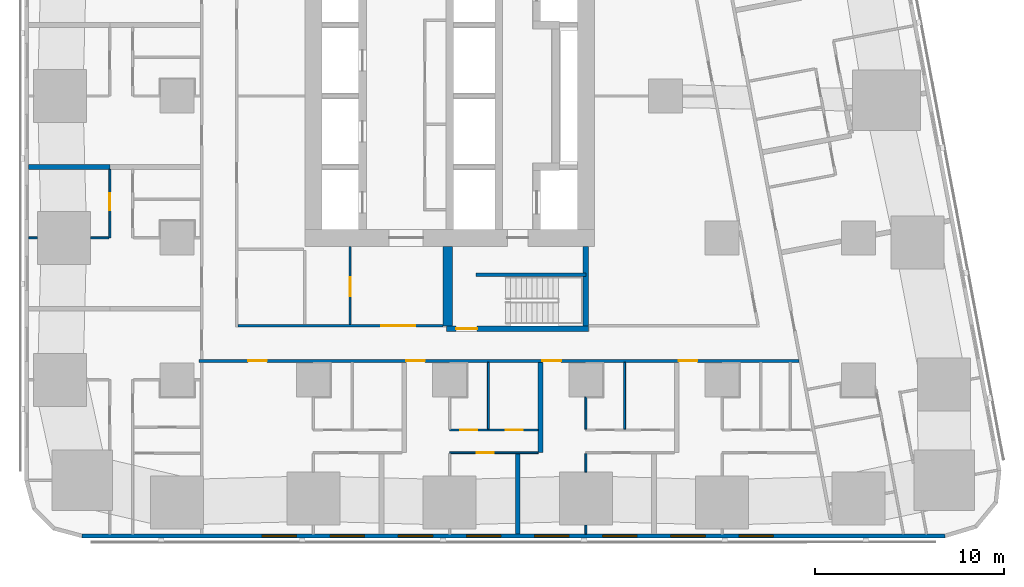
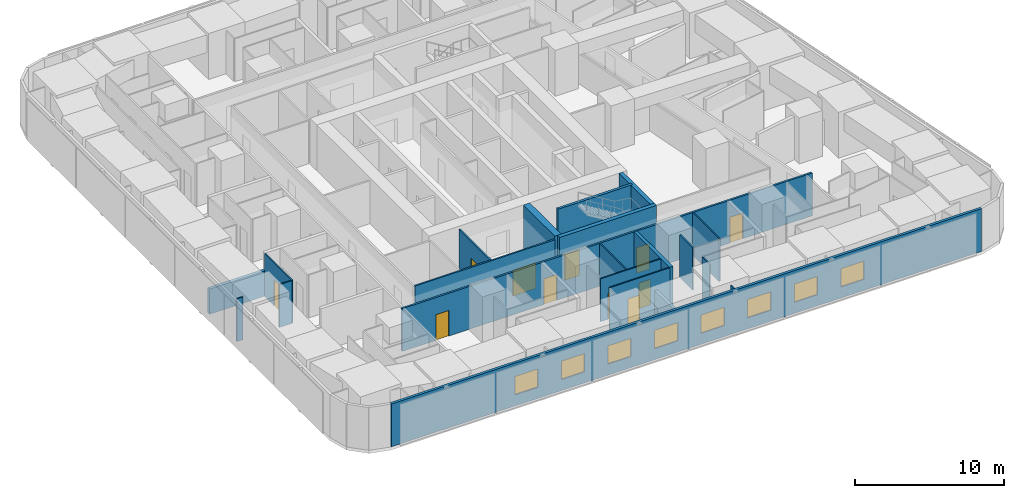
# One storey, part 3 of 15: 21 walls, 11 doors, 8 windows, 19 openings.
"""IFC4 building model written with IfcOpenShell, lengths in metres."""

from ifc_helpers import new_model, si_unit, direction, frame, frame_2d, origin, place, context, subcontext, project, spatial, rectangle, extrude, material, layer, layer_set, type_object, element, fill, save


model = new_model("IFC4")

# Units and contexts
model_context = context("Model", 3, precision=1e-05, world=origin(), true_north=direction((0.0, 1.0)))
body_context = subcontext(model_context, "Body", "Model", "MODEL_VIEW")
ifc_project = project(units=[si_unit("LENGTHUNIT", "METRE"), si_unit("AREAUNIT", "SQUARE_METRE"), si_unit("VOLUMEUNIT", "CUBIC_METRE"), si_unit("PLANEANGLEUNIT", "RADIAN"), si_unit("MASSUNIT", "GRAM", prefix="KILO")], contexts=[model_context])

# Site, building, storey
site_placement = place(None, origin())
site = spatial("IfcSite", under=ifc_project, at=site_placement, CompositionType="ELEMENT")
building_placement = place(site_placement, origin())
building = spatial("IfcBuilding", under=site, at=building_placement, Name="Sheger Commons Tower", CompositionType="ELEMENT")
storey_placement = place(building_placement, frame((0.0, 0.0, 65.0)))
storey = spatial("IfcBuildingStorey", under=building, at=storey_placement, Name="L16", CompositionType="ELEMENT", Elevation=65.0)

# Wall, openings, doors
ifc_material_1 = material(Name="Hollow concrete block masonry, skimmed both sides", Category="masonry")
ifc_layer_1 = layer(ifc_material_1, 0.14990234375)
ifc_layer_set_1 = layer_set([ifc_layer_1], Name="CORRIDOR WALL 150")
wall_type_1 = type_object("IfcWallType", Name="CORRIDOR WALL 150", PredefinedType="SOLIDWALL", material=ifc_layer_set_1)
wall_1_placement = place(storey_placement, frame((40.053955078125, 8.5, 0.0), z_axis=(0.0, 0.0, 1.0), x_axis=(-1.0, 0.0, 0.0)))
wall_1 = element("IfcWall", 1, at=wall_1_placement, inside=storey, type_object=wall_type_1, Name="Corridor wall L16", PredefinedType="SOLIDWALL", context=body_context, shape_type="SweptSolid", body=[
    extrude(rectangle(XDim=31.703857421875, YDim=0.14990234375, at=frame_2d((15.85205078125, 0.0))), origin(), (0.0, 0.0, 1.0), 3.5),
])
opening_1_placement = place(wall_1_placement, frame((28.10400390625, 0.0, 0.0)))
opening_1 = element("IfcOpeningElement", 2, at=opening_1_placement, cuts=wall_1, Name="Opening D1", PredefinedType="OPENING", context=body_context, shape_type="SweptSolid", body=[
    extrude(rectangle(XDim=1.0, YDim=2.10009765625, at=frame_2d((0.5, 1.050048828125))), frame((0.0, 0.0849609375, 0.0), z_axis=(0.0, -1.0, 0.0), x_axis=(1.0, 0.0, 0.0)), (0.0, 0.0, 1.0), 0.169921875),
])
opening_2_placement = place(wall_1_placement, frame((19.7548828125, 0.0, 0.0)))
opening_2 = element("IfcOpeningElement", 3, at=opening_2_placement, cuts=wall_1, Name="Opening D1", PredefinedType="OPENING", context=body_context, shape_type="SweptSolid", body=[
    extrude(rectangle(XDim=1.0, YDim=2.10009765625, at=frame_2d((0.5, 1.050048828125))), frame((0.0, 0.0849609375, 0.0), z_axis=(0.0, -1.0, 0.0), x_axis=(1.0, 0.0, 0.0)), (0.0, 0.0, 1.0), 0.169921875),
])
opening_3_placement = place(wall_1_placement, frame((12.554931640625, 0.0, 0.0)))
opening_3 = element("IfcOpeningElement", 4, at=opening_3_placement, cuts=wall_1, Name="Opening D1", PredefinedType="OPENING", context=body_context, shape_type="SweptSolid", body=[
    extrude(rectangle(XDim=1.0, YDim=2.10009765625, at=frame_2d((0.5, 1.050048828125))), frame((0.0, 0.0849609375, 0.0), z_axis=(0.0, -1.0, 0.0), x_axis=(1.0, 0.0, 0.0)), (0.0, 0.0, 1.0), 0.169921875),
])
opening_4_placement = place(wall_1_placement, frame((5.35498046875, 0.0, 0.0)))
opening_4 = element("IfcOpeningElement", 5, at=opening_4_placement, cuts=wall_1, Name="Opening D1", PredefinedType="OPENING", context=body_context, shape_type="SweptSolid", body=[
    extrude(rectangle(XDim=1.0, YDim=2.10009765625, at=frame_2d((0.5, 1.050048828125))), frame((0.0, 0.0849609375, 0.0), z_axis=(0.0, -1.0, 0.0), x_axis=(1.0, 0.0, 0.0)), (0.0, 0.0, 1.0), 0.169921875),
])
ifc_material_2 = material(Name="Steel door set, fire rated", Category="steel")
door_type_1 = type_object("IfcDoorType", Name="FLAT ENTRANCE DOOR 1000x2100", OperationType="NOTDEFINED", PredefinedType="DOOR", material=ifc_material_2)
door_1_placement = place(opening_1_placement, origin())
door_1 = element("IfcDoor", 6, at=door_1_placement, inside=storey, type_object=door_type_1, Name="Flat entrance door", OperationType="SINGLE_SWING_RIGHT", OverallHeight=2.10009765625, OverallWidth=1.0, PredefinedType="DOOR", context=body_context, shape_type="SweptSolid", body=[
    extrude(rectangle(XDim=1.0, YDim=2.10009765625, at=frame_2d((0.5, 1.050048828125))), frame((0.0, 0.02490234375, 0.0), z_axis=(0.0, -1.0, 0.0), x_axis=(1.0, 0.0, 0.0)), (0.0, 0.0, 1.0), 0.050048828125),
])
fill(opening_1, door_1)
door_2_placement = place(opening_2_placement, origin())
door_2 = element("IfcDoor", 7, at=door_2_placement, inside=storey, type_object=door_type_1, Name="Flat entrance door", OperationType="SINGLE_SWING_RIGHT", OverallHeight=2.10009765625, OverallWidth=1.0, PredefinedType="DOOR", context=body_context, shape_type="SweptSolid", body=[
    extrude(rectangle(XDim=1.0, YDim=2.10009765625, at=frame_2d((0.5, 1.050048828125))), frame((0.0, 0.02490234375, 0.0), z_axis=(0.0, -1.0, 0.0), x_axis=(1.0, 0.0, 0.0)), (0.0, 0.0, 1.0), 0.050048828125),
])
fill(opening_2, door_2)
door_3_placement = place(opening_3_placement, origin())
door_3 = element("IfcDoor", 8, at=door_3_placement, inside=storey, type_object=door_type_1, Name="Flat entrance door", OperationType="SINGLE_SWING_RIGHT", OverallHeight=2.10009765625, OverallWidth=1.0, PredefinedType="DOOR", context=body_context, shape_type="SweptSolid", body=[
    extrude(rectangle(XDim=1.0, YDim=2.10009765625, at=frame_2d((0.5, 1.050048828125))), frame((0.0, 0.02490234375, 0.0), z_axis=(0.0, -1.0, 0.0), x_axis=(1.0, 0.0, 0.0)), (0.0, 0.0, 1.0), 0.050048828125),
])
fill(opening_3, door_3)
door_4_placement = place(opening_4_placement, origin())
door_4 = element("IfcDoor", 9, at=door_4_placement, inside=storey, type_object=door_type_1, Name="Flat entrance door", OperationType="SINGLE_SWING_RIGHT", OverallHeight=2.10009765625, OverallWidth=1.0, PredefinedType="DOOR", context=body_context, shape_type="SweptSolid", body=[
    extrude(rectangle(XDim=1.0, YDim=2.10009765625, at=frame_2d((0.5, 1.050048828125))), frame((0.0, 0.02490234375, 0.0), z_axis=(0.0, -1.0, 0.0), x_axis=(1.0, 0.0, 0.0)), (0.0, 0.0, 1.0), 0.050048828125),
])
fill(opening_4, door_4)

# Walls
ifc_material_3 = material(Name="Dense concrete block masonry, plastered both sides (separating wall between flats)", Category="masonry")
ifc_layer_2 = layer(ifc_material_3, 0.25)
ifc_layer_set_2 = layer_set([ifc_layer_2], Name="DEMISING WALL 250")
wall_type_2 = type_object("IfcWallType", Name="DEMISING WALL 250", PredefinedType="SOLIDWALL", material=ifc_layer_set_2)
wall_2_placement = place(storey_placement, frame((-0.64990234375, 18.75, 0.0), z_axis=(0.0, 0.0, 1.0), x_axis=(1.0, 0.0, 0.0)))
element("IfcWall", 10, at=wall_2_placement, inside=storey, type_object=wall_type_2, Name="Demising wall L16", PredefinedType="SOLIDWALL", context=body_context, shape_type="SweptSolid", body=[
    extrude(rectangle(XDim=4.2998046875, YDim=0.25, at=frame_2d((2.14990234375, 0.0))), origin(), (0.0, 0.0, 1.0), 2.050048828125),
])
wall_3_placement = place(storey_placement, frame((25.199951171875, -0.64990234375, 0.0), z_axis=(0.0, 0.0, 1.0), x_axis=(0.0, 1.0, 0.0)))
element("IfcWall", 11, at=wall_3_placement, inside=storey, type_object=wall_type_2, Name="Demising wall L16", PredefinedType="SOLIDWALL", context=body_context, shape_type="SweptSolid", body=[
    extrude(rectangle(XDim=4.25, YDim=0.25, at=frame_2d((2.125, 0.0))), origin(), (0.0, 0.0, 1.0), 2.050048828125),
])
wall_4_placement = place(storey_placement, frame((26.39892578125, 3.64990234375, 0.0), z_axis=(0.0, 0.0, 1.0), x_axis=(0.0, 1.0, 0.0)))
element("IfcWall", 12, at=wall_4_placement, inside=storey, type_object=wall_type_2, Name="Demising wall L16", PredefinedType="SOLIDWALL", context=body_context, shape_type="SweptSolid", body=[
    extrude(rectangle(XDim=4.775146484375, YDim=0.25, at=frame_2d((2.3876953125, 0.0))), origin(), (0.0, 0.0, 1.0), 3.5),
])

# Wall, openings, windows
ifc_material_4 = material(Name="Rendered concrete block masonry, dark grey", Category="masonry")
ifc_layer_3 = layer(ifc_material_4, 0.199951171875)
ifc_layer_set_3 = layer_set([ifc_layer_3], Name="FACADE WALL 200")
wall_type_3 = type_object("IfcWallType", Name="FACADE WALL 200", PredefinedType="SOLIDWALL", material=ifc_layer_set_3)
wall_5_placement = place(storey_placement, frame((2.1630859375, -0.75, 0.0), z_axis=(0.0, 0.0, 1.0), x_axis=(1.0, 0.0, 0.0)))
wall_5 = element("IfcWall", 13, at=wall_5_placement, inside=storey, type_object=wall_type_3, Name="Facade wall L16", PredefinedType="SOLIDWALL", context=body_context, shape_type="SweptSolid", body=[
    extrude(rectangle(XDim=45.6279296875, YDim=0.199951171875, at=frame_2d((22.81396484375, 0.0))), origin(), (0.0, 0.0, 1.0), 3.5),
])
opening_5_placement = place(wall_5_placement, frame((9.537109375, 0.0, 0.89990234375)))
opening_5 = element("IfcOpeningElement", 14, at=opening_5_placement, cuts=wall_5, Name="Opening W2", PredefinedType="OPENING", context=body_context, shape_type="SweptSolid", body=[
    extrude(rectangle(XDim=1.800048828125, YDim=1.5, at=frame_2d((0.89990234375, 0.75))), frame((0.0, 0.10986328125, 0.0), z_axis=(0.0, -1.0, 0.0), x_axis=(1.0, 0.0, 0.0)), (0.0, 0.0, 1.0), 0.219970703125),
])
opening_6_placement = place(wall_5_placement, frame((13.136962890625, 0.0, 0.89990234375)))
opening_6 = element("IfcOpeningElement", 15, at=opening_6_placement, cuts=wall_5, Name="Opening W2", PredefinedType="OPENING", context=body_context, shape_type="SweptSolid", body=[
    extrude(rectangle(XDim=1.800048828125, YDim=1.5, at=frame_2d((0.89990234375, 0.75))), frame((0.0, 0.10986328125, 0.0), z_axis=(0.0, -1.0, 0.0), x_axis=(1.0, 0.0, 0.0)), (0.0, 0.0, 1.0), 0.219970703125),
])
opening_7_placement = place(wall_5_placement, frame((16.737060546875, 0.0, 0.89990234375)))
opening_7 = element("IfcOpeningElement", 16, at=opening_7_placement, cuts=wall_5, Name="Opening W2", PredefinedType="OPENING", context=body_context, shape_type="SweptSolid", body=[
    extrude(rectangle(XDim=1.800048828125, YDim=1.5, at=frame_2d((0.89990234375, 0.75))), frame((0.0, 0.10986328125, 0.0), z_axis=(0.0, -1.0, 0.0), x_axis=(1.0, 0.0, 0.0)), (0.0, 0.0, 1.0), 0.219970703125),
])
opening_8_placement = place(wall_5_placement, frame((20.3369140625, 0.0, 0.89990234375)))
opening_8 = element("IfcOpeningElement", 17, at=opening_8_placement, cuts=wall_5, Name="Opening W2", PredefinedType="OPENING", context=body_context, shape_type="SweptSolid", body=[
    extrude(rectangle(XDim=1.800048828125, YDim=1.5, at=frame_2d((0.89990234375, 0.75))), frame((0.0, 0.10986328125, 0.0), z_axis=(0.0, -1.0, 0.0), x_axis=(1.0, 0.0, 0.0)), (0.0, 0.0, 1.0), 0.219970703125),
])
opening_9_placement = place(wall_5_placement, frame((23.93701171875, 0.0, 0.89990234375)))
opening_9 = element("IfcOpeningElement", 18, at=opening_9_placement, cuts=wall_5, Name="Opening W2", PredefinedType="OPENING", context=body_context, shape_type="SweptSolid", body=[
    extrude(rectangle(XDim=1.800048828125, YDim=1.5, at=frame_2d((0.89990234375, 0.75))), frame((0.0, 0.10986328125, 0.0), z_axis=(0.0, -1.0, 0.0), x_axis=(1.0, 0.0, 0.0)), (0.0, 0.0, 1.0), 0.219970703125),
])
opening_10_placement = place(wall_5_placement, frame((27.537109375, 0.0, 0.89990234375)))
opening_10 = element("IfcOpeningElement", 19, at=opening_10_placement, cuts=wall_5, Name="Opening W2", PredefinedType="OPENING", context=body_context, shape_type="SweptSolid", body=[
    extrude(rectangle(XDim=1.800048828125, YDim=1.5, at=frame_2d((0.89990234375, 0.75))), frame((0.0, 0.10986328125, 0.0), z_axis=(0.0, -1.0, 0.0), x_axis=(1.0, 0.0, 0.0)), (0.0, 0.0, 1.0), 0.219970703125),
])
opening_11_placement = place(wall_5_placement, frame((31.136962890625, 0.0, 0.89990234375)))
opening_11 = element("IfcOpeningElement", 20, at=opening_11_placement, cuts=wall_5, Name="Opening W2", PredefinedType="OPENING", context=body_context, shape_type="SweptSolid", body=[
    extrude(rectangle(XDim=1.800048828125, YDim=1.5, at=frame_2d((0.89990234375, 0.75))), frame((0.0, 0.10986328125, 0.0), z_axis=(0.0, -1.0, 0.0), x_axis=(1.0, 0.0, 0.0)), (0.0, 0.0, 1.0), 0.219970703125),
])
opening_12_placement = place(wall_5_placement, frame((34.737060546875, 0.0, 0.89990234375)))
opening_12 = element("IfcOpeningElement", 21, at=opening_12_placement, cuts=wall_5, Name="Opening W2", PredefinedType="OPENING", context=body_context, shape_type="SweptSolid", body=[
    extrude(rectangle(XDim=1.800048828125, YDim=1.5, at=frame_2d((0.89990234375, 0.75))), frame((0.0, 0.10986328125, 0.0), z_axis=(0.0, -1.0, 0.0), x_axis=(1.0, 0.0, 0.0)), (0.0, 0.0, 1.0), 0.219970703125),
])
ifc_material_5 = material(Name="Black aluminium frame, dark tinted double glazing", Category="aluminium")
window_type = type_object("IfcWindowType", Name="WINDOW W2 1800x1500", PartitioningType="SINGLE_PANEL", PredefinedType="WINDOW", material=ifc_material_5)
window_1_placement = place(opening_5_placement, origin())
window_1 = element("IfcWindow", 22, at=window_1_placement, inside=storey, type_object=window_type, Name="Window W2 1800X1500", OverallHeight=1.5, OverallWidth=1.800048828125, PartitioningType="SINGLE_PANEL", PredefinedType="WINDOW", context=body_context, shape_type="SweptSolid", body=[
    extrude(rectangle(XDim=1.800048828125, YDim=1.5, at=frame_2d((0.89990234375, 0.75))), frame((0.0, 0.030029296875, 0.0), z_axis=(0.0, -1.0, 0.0), x_axis=(1.0, 0.0, 0.0)), (0.0, 0.0, 1.0), 0.06005859375),
])
fill(opening_5, window_1)
window_2_placement = place(opening_6_placement, origin())
window_2 = element("IfcWindow", 23, at=window_2_placement, inside=storey, type_object=window_type, Name="Window W2 1800X1500", OverallHeight=1.5, OverallWidth=1.800048828125, PartitioningType="SINGLE_PANEL", PredefinedType="WINDOW", context=body_context, shape_type="SweptSolid", body=[
    extrude(rectangle(XDim=1.800048828125, YDim=1.5, at=frame_2d((0.89990234375, 0.75))), frame((0.0, 0.030029296875, 0.0), z_axis=(0.0, -1.0, 0.0), x_axis=(1.0, 0.0, 0.0)), (0.0, 0.0, 1.0), 0.06005859375),
])
fill(opening_6, window_2)
window_3_placement = place(opening_7_placement, origin())
window_3 = element("IfcWindow", 24, at=window_3_placement, inside=storey, type_object=window_type, Name="Window W2 1800X1500", OverallHeight=1.5, OverallWidth=1.800048828125, PartitioningType="SINGLE_PANEL", PredefinedType="WINDOW", context=body_context, shape_type="SweptSolid", body=[
    extrude(rectangle(XDim=1.800048828125, YDim=1.5, at=frame_2d((0.89990234375, 0.75))), frame((0.0, 0.030029296875, 0.0), z_axis=(0.0, -1.0, 0.0), x_axis=(1.0, 0.0, 0.0)), (0.0, 0.0, 1.0), 0.06005859375),
])
fill(opening_7, window_3)
window_4_placement = place(opening_8_placement, origin())
window_4 = element("IfcWindow", 25, at=window_4_placement, inside=storey, type_object=window_type, Name="Window W2 1800X1500", OverallHeight=1.5, OverallWidth=1.800048828125, PartitioningType="SINGLE_PANEL", PredefinedType="WINDOW", context=body_context, shape_type="SweptSolid", body=[
    extrude(rectangle(XDim=1.800048828125, YDim=1.5, at=frame_2d((0.89990234375, 0.75))), frame((0.0, 0.030029296875, 0.0), z_axis=(0.0, -1.0, 0.0), x_axis=(1.0, 0.0, 0.0)), (0.0, 0.0, 1.0), 0.06005859375),
])
fill(opening_8, window_4)
window_5_placement = place(opening_9_placement, origin())
window_5 = element("IfcWindow", 26, at=window_5_placement, inside=storey, type_object=window_type, Name="Window W2 1800X1500", OverallHeight=1.5, OverallWidth=1.800048828125, PartitioningType="SINGLE_PANEL", PredefinedType="WINDOW", context=body_context, shape_type="SweptSolid", body=[
    extrude(rectangle(XDim=1.800048828125, YDim=1.5, at=frame_2d((0.89990234375, 0.75))), frame((0.0, 0.030029296875, 0.0), z_axis=(0.0, -1.0, 0.0), x_axis=(1.0, 0.0, 0.0)), (0.0, 0.0, 1.0), 0.06005859375),
])
fill(opening_9, window_5)
window_6_placement = place(opening_10_placement, origin())
window_6 = element("IfcWindow", 27, at=window_6_placement, inside=storey, type_object=window_type, Name="Window W2 1800X1500", OverallHeight=1.5, OverallWidth=1.800048828125, PartitioningType="SINGLE_PANEL", PredefinedType="WINDOW", context=body_context, shape_type="SweptSolid", body=[
    extrude(rectangle(XDim=1.800048828125, YDim=1.5, at=frame_2d((0.89990234375, 0.75))), frame((0.0, 0.030029296875, 0.0), z_axis=(0.0, -1.0, 0.0), x_axis=(1.0, 0.0, 0.0)), (0.0, 0.0, 1.0), 0.06005859375),
])
fill(opening_10, window_6)
window_7_placement = place(opening_11_placement, origin())
window_7 = element("IfcWindow", 28, at=window_7_placement, inside=storey, type_object=window_type, Name="Window W2 1800X1500", OverallHeight=1.5, OverallWidth=1.800048828125, PartitioningType="SINGLE_PANEL", PredefinedType="WINDOW", context=body_context, shape_type="SweptSolid", body=[
    extrude(rectangle(XDim=1.800048828125, YDim=1.5, at=frame_2d((0.89990234375, 0.75))), frame((0.0, 0.030029296875, 0.0), z_axis=(0.0, -1.0, 0.0), x_axis=(1.0, 0.0, 0.0)), (0.0, 0.0, 1.0), 0.06005859375),
])
fill(opening_11, window_7)
window_8_placement = place(opening_12_placement, origin())
window_8 = element("IfcWindow", 29, at=window_8_placement, inside=storey, type_object=window_type, Name="Window W2 1800X1500", OverallHeight=1.5, OverallWidth=1.800048828125, PartitioningType="SINGLE_PANEL", PredefinedType="WINDOW", context=body_context, shape_type="SweptSolid", body=[
    extrude(rectangle(XDim=1.800048828125, YDim=1.5, at=frame_2d((0.89990234375, 0.75))), frame((0.0, 0.030029296875, 0.0), z_axis=(0.0, -1.0, 0.0), x_axis=(1.0, 0.0, 0.0)), (0.0, 0.0, 1.0), 0.06005859375),
])
fill(opening_12, window_8)

# Wall, opening, door
ifc_material_6 = material(Name="Gypsum board on steel studs", Category="steel")
ifc_layer_4 = layer(ifc_material_6, 0.10009765625)
ifc_layer_set_4 = layer_set([ifc_layer_4], Name="PARTITION 100")
wall_type_4 = type_object("IfcWallType", Name="PARTITION 100", PredefinedType="PARTITIONING", material=ifc_layer_set_4)
wall_6_placement = place(storey_placement, frame((3.64990234375, 15.0, 0.0), z_axis=(0.0, 0.0, 1.0), x_axis=(0.0, 1.0, 0.0)))
wall_6 = element("IfcWall", 30, at=wall_6_placement, inside=storey, type_object=wall_type_4, Name="Partition L16", PredefinedType="PARTITIONING", context=body_context, shape_type="SweptSolid", body=[
    extrude(rectangle(XDim=3.625, YDim=0.10009765625, at=frame_2d((1.8125, 0.0))), origin(), (0.0, 0.0, 1.0), 3.5),
])
opening_13_placement = place(wall_6_placement, frame((1.449951171875, 0.0, 0.0)))
opening_13 = element("IfcOpeningElement", 31, at=opening_13_placement, cuts=wall_6, Name="Opening D2", PredefinedType="OPENING", context=body_context, shape_type="SweptSolid", body=[
    extrude(rectangle(XDim=0.89990234375, YDim=2.10009765625, at=frame_2d((0.449951171875, 1.050048828125))), frame((0.0, 0.06005859375, 0.0), z_axis=(0.0, -1.0, 0.0), x_axis=(1.0, 0.0, 0.0)), (0.0, 0.0, 1.0), 0.1201171875),
])
ifc_material_7 = material(Name="Timber door set", Category="wood")
door_type_2 = type_object("IfcDoorType", Name="INTERNAL DOOR 900x2100", OperationType="NOTDEFINED", PredefinedType="DOOR", material=ifc_material_7)
door_5_placement = place(opening_13_placement, origin())
door_5 = element("IfcDoor", 32, at=door_5_placement, inside=storey, type_object=door_type_2, Name="Main bedroom door", OperationType="SINGLE_SWING_RIGHT", OverallHeight=2.10009765625, OverallWidth=0.89990234375, PredefinedType="DOOR", context=body_context, shape_type="SweptSolid", body=[
    extrude(rectangle(XDim=0.89990234375, YDim=2.10009765625, at=frame_2d((0.449951171875, 1.050048828125))), frame((0.0, 0.02490234375, 0.0), z_axis=(0.0, -1.0, 0.0), x_axis=(1.0, 0.0, 0.0)), (0.0, 0.0, 1.0), 0.050048828125),
])
fill(opening_13, door_5)

# Walls
wall_7_placement = place(storey_placement, frame((-0.64990234375, 15.0, 0.0), z_axis=(0.0, 0.0, 1.0), x_axis=(1.0, 0.0, 0.0)))
element("IfcWall", 33, at=wall_7_placement, inside=storey, type_object=wall_type_4, Name="Partition L16", PredefinedType="PARTITIONING", context=body_context, shape_type="SweptSolid", body=[
    extrude(rectangle(XDim=0.473876953125, YDim=0.10009765625, at=frame_2d((0.23681640625, 0.0))), origin(), (0.0, 0.0, 1.0), 3.5),
])
wall_8_placement = place(storey_placement, frame((2.6259765625, 15.0, 0.0), z_axis=(0.0, 0.0, 1.0), x_axis=(1.0, 0.0, 0.0)))
element("IfcWall", 34, at=wall_8_placement, inside=storey, type_object=wall_type_4, Name="Partition L16", PredefinedType="PARTITIONING", context=body_context, shape_type="SweptSolid", body=[
    extrude(rectangle(XDim=0.97412109375, YDim=0.10009765625, at=frame_2d((0.487060546875, 0.0))), origin(), (0.0, 0.0, 1.0), 3.5),
])

# Wall, opening, door
wall_9_placement = place(storey_placement, frame((26.27392578125, 3.64990234375, 0.0), z_axis=(0.0, 0.0, 1.0), x_axis=(-1.0, 0.0, 0.0)))
wall_9 = element("IfcWall", 35, at=wall_9_placement, inside=storey, type_object=wall_type_4, Name="Partition L16", PredefinedType="PARTITIONING", context=body_context, shape_type="SweptSolid", body=[
    extrude(rectangle(XDim=4.673828125, YDim=0.10009765625, at=frame_2d((2.3369140625, 0.0))), origin(), (0.0, 0.0, 1.0), 3.5),
])
opening_14_placement = place(wall_9_placement, frame((2.35009765625, 0.0, 0.0)))
opening_14 = element("IfcOpeningElement", 36, at=opening_14_placement, cuts=wall_9, Name="Opening D2", PredefinedType="OPENING", context=body_context, shape_type="SweptSolid", body=[
    extrude(rectangle(XDim=0.89990234375, YDim=2.10009765625, at=frame_2d((0.449951171875, 1.050048828125))), frame((0.0, 0.06005859375, 0.0), z_axis=(0.0, -1.0, 0.0), x_axis=(1.0, 0.0, 0.0)), (0.0, 0.0, 1.0), 0.1201171875),
])
door_6_placement = place(opening_14_placement, origin())
door_6 = element("IfcDoor", 37, at=door_6_placement, inside=storey, type_object=door_type_2, Name="Main bedroom door", OperationType="SINGLE_SWING_RIGHT", OverallHeight=2.10009765625, OverallWidth=0.89990234375, PredefinedType="DOOR", context=body_context, shape_type="SweptSolid", body=[
    extrude(rectangle(XDim=0.89990234375, YDim=2.10009765625, at=frame_2d((0.449951171875, 1.050048828125))), frame((0.0, 0.02490234375, 0.0), z_axis=(0.0, -1.0, 0.0), x_axis=(1.0, 0.0, 0.0)), (0.0, 0.0, 1.0), 0.050048828125),
])
fill(opening_14, door_6)

# Wall, openings, doors
wall_10_placement = place(storey_placement, frame((26.27392578125, 4.85009765625, 0.0), z_axis=(0.0, 0.0, 1.0), x_axis=(-1.0, 0.0, 0.0)))
wall_10 = element("IfcWall", 38, at=wall_10_placement, inside=storey, type_object=wall_type_4, Name="Partition L16", PredefinedType="PARTITIONING", context=body_context, shape_type="SweptSolid", body=[
    extrude(rectangle(XDim=4.673828125, YDim=0.10009765625, at=frame_2d((2.3369140625, 0.0))), origin(), (0.0, 0.0, 1.0), 3.5),
])
opening_15_placement = place(wall_10_placement, frame((3.198974609375, 0.0, 0.0)))
opening_15 = element("IfcOpeningElement", 39, at=opening_15_placement, cuts=wall_10, Name="Opening D2", PredefinedType="OPENING", context=body_context, shape_type="SweptSolid", body=[
    extrude(rectangle(XDim=0.89990234375, YDim=2.10009765625, at=frame_2d((0.449951171875, 1.050048828125))), frame((0.0, 0.06005859375, 0.0), z_axis=(0.0, -1.0, 0.0), x_axis=(1.0, 0.0, 0.0)), (0.0, 0.0, 1.0), 0.1201171875),
])
opening_16_placement = place(wall_10_placement, frame((0.800048828125, 0.0, 0.0)))
opening_16 = element("IfcOpeningElement", 40, at=opening_16_placement, cuts=wall_10, Name="Opening D2", PredefinedType="OPENING", context=body_context, shape_type="SweptSolid", body=[
    extrude(rectangle(XDim=0.89990234375, YDim=2.10009765625, at=frame_2d((0.449951171875, 1.050048828125))), frame((0.0, 0.06005859375, 0.0), z_axis=(0.0, -1.0, 0.0), x_axis=(1.0, 0.0, 0.0)), (0.0, 0.0, 1.0), 0.1201171875),
])
door_7_placement = place(opening_15_placement, origin())
door_7 = element("IfcDoor", 41, at=door_7_placement, inside=storey, type_object=door_type_2, Name="Bathroom door", OperationType="SINGLE_SWING_LEFT", OverallHeight=2.10009765625, OverallWidth=0.89990234375, PredefinedType="DOOR", context=body_context, shape_type="SweptSolid", body=[
    extrude(rectangle(XDim=0.89990234375, YDim=2.10009765625, at=frame_2d((0.449951171875, 1.050048828125))), frame((0.0, 0.02490234375, 0.0), z_axis=(0.0, -1.0, 0.0), x_axis=(1.0, 0.0, 0.0)), (0.0, 0.0, 1.0), 0.050048828125),
])
fill(opening_15, door_7)
door_8_placement = place(opening_16_placement, origin())
door_8 = element("IfcDoor", 42, at=door_8_placement, inside=storey, type_object=door_type_2, Name="Store door", OperationType="SINGLE_SWING_RIGHT", OverallHeight=2.10009765625, OverallWidth=0.89990234375, PredefinedType="DOOR", context=body_context, shape_type="SweptSolid", body=[
    extrude(rectangle(XDim=0.89990234375, YDim=2.10009765625, at=frame_2d((0.449951171875, 1.050048828125))), frame((0.0, 0.02490234375, 0.0), z_axis=(0.0, -1.0, 0.0), x_axis=(1.0, 0.0, 0.0)), (0.0, 0.0, 1.0), 0.050048828125),
])
fill(opening_16, door_8)

# Walls
wall_11_placement = place(storey_placement, frame((23.64990234375, 4.89990234375, 0.0), z_axis=(0.0, 0.0, 1.0), x_axis=(0.0, 1.0, 0.0)))
element("IfcWall", 43, at=wall_11_placement, inside=storey, type_object=wall_type_4, Name="Partition L16", PredefinedType="PARTITIONING", context=body_context, shape_type="SweptSolid", body=[
    extrude(rectangle(XDim=3.525146484375, YDim=0.10009765625, at=frame_2d((1.7626953125, 0.0))), origin(), (0.0, 0.0, 1.0), 3.5),
])
wall_12_placement = place(storey_placement, frame((28.800048828125, -0.64990234375, 0.0), z_axis=(0.0, 0.0, 1.0), x_axis=(0.0, 1.0, 0.0)))
element("IfcWall", 44, at=wall_12_placement, inside=storey, type_object=wall_type_4, Name="Partition L16", PredefinedType="PARTITIONING", context=body_context, shape_type="SweptSolid", body=[
    extrude(rectangle(XDim=0.473876953125, YDim=0.10009765625, at=frame_2d((0.23681640625, 0.0))), origin(), (0.0, 0.0, 1.0), 3.5),
])
wall_13_placement = place(storey_placement, frame((28.800048828125, 2.6259765625, 0.0), z_axis=(0.0, 0.0, 1.0), x_axis=(0.0, 1.0, 0.0)))
element("IfcWall", 45, at=wall_13_placement, inside=storey, type_object=wall_type_4, Name="Partition L16", PredefinedType="PARTITIONING", context=body_context, shape_type="SweptSolid", body=[
    extrude(rectangle(XDim=0.97412109375, YDim=0.10009765625, at=frame_2d((0.487060546875, 0.0))), origin(), (0.0, 0.0, 1.0), 3.5),
])
wall_14_placement = place(storey_placement, frame((28.800048828125, 4.89990234375, 0.0), z_axis=(0.0, 0.0, 1.0), x_axis=(0.0, 1.0, 0.0)))
element("IfcWall", 46, at=wall_14_placement, inside=storey, type_object=wall_type_4, Name="Partition L16", PredefinedType="PARTITIONING", context=body_context, shape_type="SweptSolid", body=[
    extrude(rectangle(XDim=1.69921875, YDim=0.10009765625, at=frame_2d((0.849609375, 0.0))), origin(), (0.0, 0.0, 1.0), 3.5),
])
wall_15_placement = place(storey_placement, frame((30.85009765625, 4.89990234375, 0.0), z_axis=(0.0, 0.0, 1.0), x_axis=(0.0, 1.0, 0.0)))
element("IfcWall", 47, at=wall_15_placement, inside=storey, type_object=wall_type_4, Name="Partition L16", PredefinedType="PARTITIONING", context=body_context, shape_type="SweptSolid", body=[
    extrude(rectangle(XDim=3.525146484375, YDim=0.10009765625, at=frame_2d((1.7626953125, 0.0))), origin(), (0.0, 0.0, 1.0), 3.5),
])

# Wall, opening, door
ifc_material_8 = material(Name="Gypsum board on steel studs, two layers each side, fire rated", Category="steel")
ifc_layer_5 = layer(ifc_material_8, 0.125)
ifc_layer_set_5 = layer_set([ifc_layer_5], Name="SERVICE WALL 125")
wall_type_5 = type_object("IfcWallType", Name="SERVICE WALL 125", PredefinedType="PARTITIONING", material=ifc_layer_set_5)
wall_16_placement = place(storey_placement, frame((10.4130859375, 10.35009765625, 0.0), z_axis=(0.0, 0.0, 1.0), x_axis=(1.0, 0.0, 0.0)))
wall_16 = element("IfcWall", 48, at=wall_16_placement, inside=storey, type_object=wall_type_5, Name="Service room wall L16", PredefinedType="PARTITIONING", context=body_context, shape_type="SweptSolid", body=[
    extrude(rectangle(XDim=10.8369140625, YDim=0.125, at=frame_2d((5.41845703125, 0.0))), origin(), (0.0, 0.0, 1.0), 3.5),
])
opening_17_placement = place(wall_16_placement, frame((7.58203125, 0.0, 0.0)))
opening_17 = element("IfcOpeningElement", 49, at=opening_17_placement, cuts=wall_16, Name="Opening D6", PredefinedType="OPENING", context=body_context, shape_type="SweptSolid", body=[
    extrude(rectangle(XDim=1.800048828125, YDim=2.10009765625, at=frame_2d((0.89990234375, 1.050048828125))), frame((0.0, 0.072509765625, 0.0), z_axis=(0.0, -1.0, 0.0), x_axis=(1.0, 0.0, 0.0)), (0.0, 0.0, 1.0), 0.14501953125),
])
ifc_material_9 = material(Name="Steel door set, fire rated", Category="steel")
door_type_3 = type_object("IfcDoorType", Name="LOBBY DOUBLE DOOR 1800x2100", OperationType="DOUBLE_DOOR_SINGLE_SWING", PredefinedType="DOOR", material=ifc_material_9)
door_9_placement = place(opening_17_placement, origin())
door_9 = element("IfcDoor", 50, at=door_9_placement, inside=storey, type_object=door_type_3, Name="Lift lobby south door", OperationType="DOUBLE_DOOR_SINGLE_SWING", OverallHeight=2.10009765625, OverallWidth=1.800048828125, PredefinedType="DOOR", context=body_context, shape_type="SweptSolid", body=[
    extrude(rectangle(XDim=1.800048828125, YDim=2.10009765625, at=frame_2d((0.89990234375, 1.050048828125))), frame((0.0, 0.02490234375, 0.0), z_axis=(0.0, -1.0, 0.0), x_axis=(1.0, 0.0, 0.0)), (0.0, 0.0, 1.0), 0.050048828125),
])
fill(opening_17, door_9)

wall_17_placement = place(storey_placement, frame((16.340087890625, 10.4130859375, 0.0), z_axis=(0.0, 0.0, 1.0), x_axis=(0.0, 1.0, 0.0)))
wall_17 = element("IfcWall", 51, at=wall_17_placement, inside=storey, type_object=wall_type_5, Name="Service room wall L16", PredefinedType="PARTITIONING", context=body_context, shape_type="SweptSolid", body=[
    extrude(rectangle(XDim=4.136962890625, YDim=0.125, at=frame_2d((2.068359375, 0.0))), origin(), (0.0, 0.0, 1.0), 3.5),
])
opening_18_placement = place(wall_17_placement, frame((1.511962890625, 0.0, 0.0)))
opening_18 = element("IfcOpeningElement", 52, at=opening_18_placement, cuts=wall_17, Name="Opening D4", PredefinedType="OPENING", context=body_context, shape_type="SweptSolid", body=[
    extrude(rectangle(XDim=1.0, YDim=2.10009765625, at=frame_2d((0.5, 1.050048828125))), frame((0.0, 0.072509765625, 0.0), z_axis=(0.0, -1.0, 0.0), x_axis=(1.0, 0.0, 0.0)), (0.0, 0.0, 1.0), 0.14501953125),
])
ifc_material_10 = material(Name="Steel door set, fire rated", Category="steel")
door_type_4 = type_object("IfcDoorType", Name="SERVICE DOOR 1000x2100", OperationType="NOTDEFINED", PredefinedType="DOOR", material=ifc_material_10)
door_10_placement = place(opening_18_placement, origin())
door_10 = element("IfcDoor", 53, at=door_10_placement, inside=storey, type_object=door_type_4, Name="Electrical room door", OperationType="SINGLE_SWING_LEFT", OverallHeight=2.10009765625, OverallWidth=1.0, PredefinedType="DOOR", context=body_context, shape_type="SweptSolid", body=[
    extrude(rectangle(XDim=1.0, YDim=2.10009765625, at=frame_2d((0.5, 1.050048828125))), frame((0.0, 0.02490234375, 0.0), z_axis=(0.0, -1.0, 0.0), x_axis=(1.0, 0.0, 0.0)), (0.0, 0.0, 1.0), 0.050048828125),
])
fill(opening_18, door_10)

ifc_material_11 = material(Name="Concrete C50/60", Category="concrete")
ifc_layer_6 = layer(ifc_material_11, 0.300048828125)
ifc_layer_set_6 = layer_set([ifc_layer_6], Name="STAIR CORE WALL 300")
wall_type_6 = type_object("IfcWallType", Name="STAIR CORE WALL 300", PredefinedType="SHEAR", material=ifc_layer_set_6)
wall_18_placement = place(storey_placement, frame((21.449951171875, 10.199951171875, 0.0), z_axis=(0.0, 0.0, 1.0), x_axis=(1.0, 0.0, 0.0)))
wall_18 = element("IfcWall", 54, at=wall_18_placement, inside=storey, type_object=wall_type_6, Name="STW-L16-S1S", PredefinedType="SHEAR", context=body_context, shape_type="SweptSolid", body=[
    extrude(rectangle(XDim=7.5, YDim=0.300048828125, at=frame_2d((3.75, 0.0))), origin(), (0.0, 0.0, 1.0), 3.75),
])
opening_19_placement = place(wall_18_placement, frame((0.5, 0.0, 0.0)))
opening_19 = element("IfcOpeningElement", 55, at=opening_19_placement, cuts=wall_18, Name="Opening D5", PredefinedType="OPENING", context=body_context, shape_type="SweptSolid", body=[
    extrude(rectangle(XDim=1.10009765625, YDim=2.10009765625, at=frame_2d((0.550048828125, 1.050048828125))), frame((0.0, 0.159912109375, 0.0), z_axis=(0.0, -1.0, 0.0), x_axis=(1.0, 0.0, 0.0)), (0.0, 0.0, 1.0), 0.320068359375),
])
ifc_material_12 = material(Name="Steel door set, fire rated", Category="steel")
door_type_5 = type_object("IfcDoorType", Name="STAIR DOOR 1100x2100", OperationType="NOTDEFINED", PredefinedType="DOOR", material=ifc_material_12)
door_11_placement = place(opening_19_placement, origin())
door_11 = element("IfcDoor", 56, at=door_11_placement, inside=storey, type_object=door_type_5, Name="Stair S1 door", OperationType="SINGLE_SWING_LEFT", OverallHeight=2.10009765625, OverallWidth=1.10009765625, PredefinedType="DOOR", context=body_context, shape_type="SweptSolid", body=[
    extrude(rectangle(XDim=1.10009765625, YDim=2.10009765625, at=frame_2d((0.550048828125, 1.050048828125))), frame((0.0, 0.02490234375, 0.0), z_axis=(0.0, -1.0, 0.0), x_axis=(1.0, 0.0, 0.0)), (0.0, 0.0, 1.0), 0.050048828125),
])
fill(opening_19, door_11)

# Walls
wall_19_placement = place(storey_placement, frame((28.800048828125, 10.35009765625, 0.0), z_axis=(0.0, 0.0, 1.0), x_axis=(0.0, 1.0, 0.0)))
element("IfcWall", 57, at=wall_19_placement, inside=storey, type_object=wall_type_6, Name="STW-L16-S1E", PredefinedType="SHEAR", context=body_context, shape_type="SweptSolid", body=[
    extrude(rectangle(XDim=4.199951171875, YDim=0.300048828125, at=frame_2d((2.10009765625, 0.0))), origin(), (0.0, 0.0, 1.0), 3.75),
])
ifc_material_13 = material(Name="Concrete C50/60", Category="concrete")
ifc_layer_7 = layer(ifc_material_13, 0.5)
ifc_layer_set_7 = layer_set([ifc_layer_7], Name="STAIR CORE WALL 500")
wall_type_7 = type_object("IfcWallType", Name="STAIR CORE WALL 500", PredefinedType="SHEAR", material=ifc_layer_set_7)
wall_20_placement = place(storey_placement, frame((21.5, 10.35009765625, 0.0), z_axis=(0.0, 0.0, 1.0), x_axis=(0.0, 1.0, 0.0)))
element("IfcWall", 58, at=wall_20_placement, inside=storey, type_object=wall_type_7, Name="STW-L16-S1W", PredefinedType="SHEAR", context=body_context, shape_type="SweptSolid", body=[
    extrude(rectangle(XDim=4.199951171875, YDim=0.5, at=frame_2d((2.10009765625, 0.0))), origin(), (0.0, 0.0, 1.0), 3.75),
])
ifc_material_14 = material(Name="Concrete C50/60", Category="concrete")
ifc_layer_8 = layer(ifc_material_14, 0.199951171875)
ifc_layer_set_8 = layer_set([ifc_layer_8], Name="STAIR SPINE WALL 200")
wall_type_8 = type_object("IfcWallType", Name="STAIR SPINE WALL 200", PredefinedType="SHEAR", material=ifc_layer_set_8)
wall_21_placement = place(storey_placement, frame((23.0, 13.050048828125, 0.0), z_axis=(0.0, 0.0, 1.0), x_axis=(1.0, 0.0, 0.0)))
element("IfcWall", 59, at=wall_21_placement, inside=storey, type_object=wall_type_8, Name="Stair spine wall L16", PredefinedType="SHEAR", context=body_context, shape_type="SweptSolid", body=[
    extrude(rectangle(XDim=5.800048828125, YDim=0.199951171875, at=frame_2d((2.89990234375, 0.0))), origin(), (0.0, 0.0, 1.0), 3.75),
])

save(model, "model.ifc")
